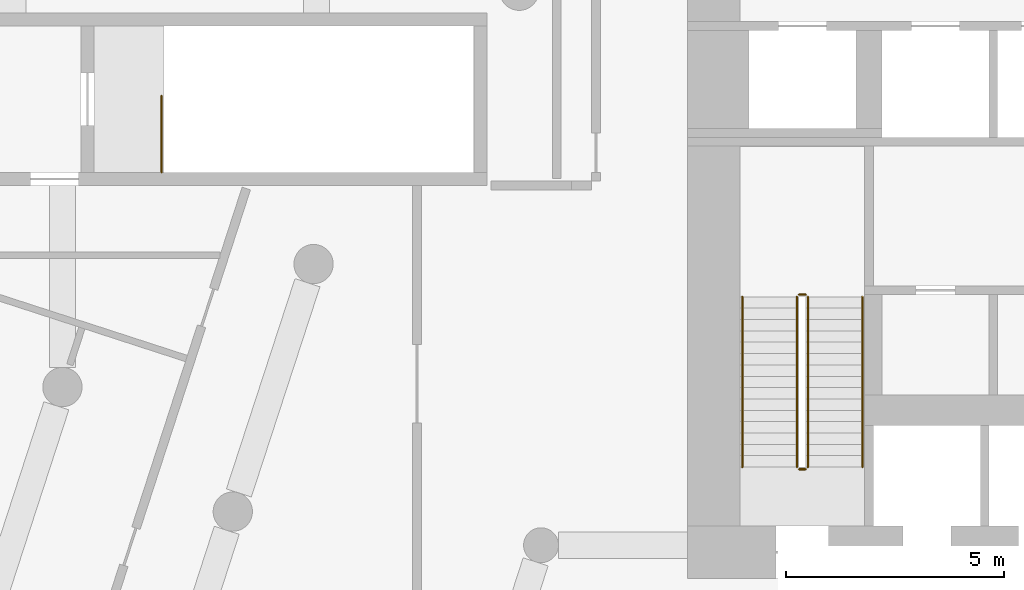
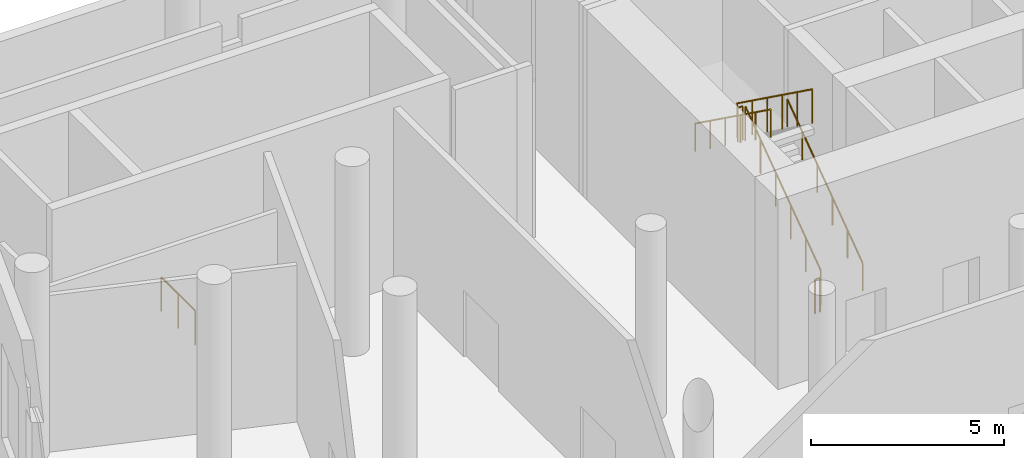
# One storey, part 18 of 19: 7 railings.
"""IFC4 building model written with IfcOpenShell, lengths in metres."""

from ifc_helpers import new_model, si_unit, direction, frame, origin, origin_2d, place, context, subcontext, project, spatial, circle, extrude, material, type_object, element, save


model = new_model("IFC4")

# Units and contexts
model_context = context("Model", 3, precision=1e-05, world=origin(), true_north=direction((0.0, 1.0)))
body_context = subcontext(model_context, "Body", "Model", "MODEL_VIEW")
ifc_project = project(units=[si_unit("LENGTHUNIT", "METRE"), si_unit("AREAUNIT", "SQUARE_METRE"), si_unit("VOLUMEUNIT", "CUBIC_METRE"), si_unit("PLANEANGLEUNIT", "RADIAN"), si_unit("MASSUNIT", "GRAM", prefix="KILO")], contexts=[model_context])

# Site, building, storey
site_placement = place(None, origin())
site = spatial("IfcSite", under=ifc_project, at=site_placement, CompositionType="ELEMENT")
building_placement = place(site_placement, origin())
building = spatial("IfcBuilding", under=site, at=building_placement, Name="White Candle Pilgrim Tower", CompositionType="ELEMENT")
storey_placement = place(building_placement, frame((0.0, 0.0, 23.0)))
storey = spatial("IfcBuildingStorey", under=building, at=storey_placement, Name="L03", CompositionType="ELEMENT", Elevation=23.0)

# Railings
ifc_material = material(Name="Stainless steel", Category="steel")
railing_type_1 = type_object("IfcRailingType", Name="Stair guard stainless steel 1100 mm", PredefinedType="GUARDRAIL", material=ifc_material)
railing_1_placement = place(storey_placement, frame((61.75, 73.550048828125, 0.1875)))
element("IfcRailing", 1, at=railing_1_placement, inside=storey, type_object=railing_type_1, Name="L03 ST1 stair guard 1", PredefinedType="GUARDRAIL", context=body_context, shape_type="SweptSolid", body=[
    extrude(circle(Radius=0.02392578125, at=origin_2d()), frame((0.0, 0.0, 1.076171875), z_axis=(0.0, 0.811083382981, 0.584930547887), x_axis=(-1.0, 0.0, 0.0)), (0.0, 0.0, 1.0), 4.808349609375),
    extrude(circle(Radius=0.02099609375, at=origin_2d()), origin(), (0.0, 0.0, 1.0), 1.052001953125),
    extrude(circle(Radius=0.02099609375, at=origin_2d()), frame((0.0, 0.780029296875, 0.5625)), (0.0, 0.0, 1.0), 1.052001953125),
    extrude(circle(Radius=0.02099609375, at=origin_2d()), frame((0.0, 1.56005859375, 1.125)), (0.0, 0.0, 1.0), 1.052001953125),
    extrude(circle(Radius=0.02099609375, at=origin_2d()), frame((0.0, 2.33984375, 1.6875)), (0.0, 0.0, 1.0), 1.052001953125),
    extrude(circle(Radius=0.02099609375, at=origin_2d()), frame((0.0, 3.119873046875, 2.25)), (0.0, 0.0, 1.0), 1.052001953125),
    extrude(circle(Radius=0.02099609375, at=origin_2d()), frame((0.0, 3.89990234375, 2.8125)), (0.0, 0.0, 1.0), 1.052001953125),
])
railing_2_placement = place(storey_placement, frame((61.699951171875, 77.5, 3.0)))
element("IfcRailing", 2, at=railing_2_placement, inside=storey, type_object=railing_type_1, Name="L03 ST1 stair guard 2", PredefinedType="GUARDRAIL", context=body_context, shape_type="SweptSolid", body=[
    extrude(circle(Radius=0.02392578125, at=origin_2d()), frame((0.0, 0.0, 1.076171875), z_axis=(-1.0, 0.0, 0.0), x_axis=(0.0, -1.0, 0.0)), (0.0, 0.0, 1.0), 0.14990234375),
    extrude(circle(Radius=0.02099609375, at=origin_2d()), origin(), (0.0, 0.0, 1.0), 1.052001953125),
    extrude(circle(Radius=0.02099609375, at=origin_2d()), frame((-0.14990234375, 0.0, 0.0)), (0.0, 0.0, 1.0), 1.052001953125),
])
railing_3_placement = place(storey_placement, frame((61.5, 77.449951171875, 3.1875)))
element("IfcRailing", 3, at=railing_3_placement, inside=storey, type_object=railing_type_1, Name="L03 ST1 stair guard 3", PredefinedType="GUARDRAIL", context=body_context, shape_type="SweptSolid", body=[
    extrude(circle(Radius=0.02392578125, at=origin_2d()), frame((0.0, 0.0, 1.076171875), z_axis=(0.0, -0.811083382981, 0.584930547887), x_axis=(1.0, 0.0, 0.0)), (0.0, 0.0, 1.0), 4.808349609375),
    extrude(circle(Radius=0.02099609375, at=origin_2d()), origin(), (0.0, 0.0, 1.0), 1.052001953125),
    extrude(circle(Radius=0.02099609375, at=origin_2d()), frame((0.0, -0.780029296875, 0.5625)), (0.0, 0.0, 1.0), 1.052001953125),
    extrude(circle(Radius=0.02099609375, at=origin_2d()), frame((0.0, -1.56005859375, 1.125)), (0.0, 0.0, 1.0), 1.052001953125),
    extrude(circle(Radius=0.02099609375, at=origin_2d()), frame((0.0, -2.33984375, 1.6875)), (0.0, 0.0, 1.0), 1.052001953125),
    extrude(circle(Radius=0.02099609375, at=origin_2d()), frame((0.0, -3.119873046875, 2.25)), (0.0, 0.0, 1.0), 1.052001953125),
    extrude(circle(Radius=0.02099609375, at=origin_2d()), frame((0.0, -3.89990234375, 2.8125)), (0.0, 0.0, 1.0), 1.052001953125),
])
railing_4_placement = place(storey_placement, frame((61.699951171875, 73.5, 0.0)))
element("IfcRailing", 4, at=railing_4_placement, inside=storey, type_object=railing_type_1, Name="L03 ST1 stair guard 4", PredefinedType="GUARDRAIL", context=body_context, shape_type="SweptSolid", body=[
    extrude(circle(Radius=0.02392578125, at=origin_2d()), frame((0.0, 0.0, 1.076171875), z_axis=(-1.0, 0.0, 0.0), x_axis=(0.0, -1.0, 0.0)), (0.0, 0.0, 1.0), 0.14990234375),
    extrude(circle(Radius=0.02099609375, at=origin_2d()), origin(), (0.0, 0.0, 1.0), 1.052001953125),
    extrude(circle(Radius=0.02099609375, at=origin_2d()), frame((-0.14990234375, 0.0, 0.0)), (0.0, 0.0, 1.0), 1.052001953125),
])
railing_5_placement = place(storey_placement, frame((46.949951171875, 80.300048828125, 0.0)))
element("IfcRailing", 5, at=railing_5_placement, inside=storey, type_object=railing_type_1, Name="L03 ST10 top well guard 1", PredefinedType="GUARDRAIL", context=body_context, shape_type="SweptSolid", body=[
    extrude(circle(Radius=0.02392578125, at=origin_2d()), frame((0.0, 0.0, 1.076171875), z_axis=(0.0, 1.0, 0.0), x_axis=(-1.0, 0.0, 0.0)), (0.0, 0.0, 1.0), 1.75),
    extrude(circle(Radius=0.02099609375, at=origin_2d()), origin(), (0.0, 0.0, 1.0), 1.052001953125),
    extrude(circle(Radius=0.02099609375, at=origin_2d()), frame((0.0, 0.875, 0.0)), (0.0, 0.0, 1.0), 1.052001953125),
    extrude(circle(Radius=0.02099609375, at=origin_2d()), frame((0.0, 1.75, 0.0)), (0.0, 0.0, 1.0), 1.052001953125),
])
railing_type_2 = type_object("IfcRailingType", Name="Stair handrail stainless steel", PredefinedType="HANDRAIL", material=ifc_material)
railing_6_placement = place(storey_placement, frame((63.0, 73.550048828125, 0.1875)))
element("IfcRailing", 6, at=railing_6_placement, inside=storey, type_object=railing_type_2, Name="L03 ST1 stair handrail 1", PredefinedType="HANDRAIL", context=body_context, shape_type="SweptSolid", body=[
    extrude(circle(Radius=0.02392578125, at=origin_2d()), frame((0.0, 0.0, 0.8759765625), z_axis=(0.0, 0.811083382981, 0.584930547887), x_axis=(-1.0, 0.0, 0.0)), (0.0, 0.0, 1.0), 4.808349609375),
    extrude(circle(Radius=0.02099609375, at=origin_2d()), origin(), (0.0, 0.0, 1.0), 0.851806640625),
    extrude(circle(Radius=0.02099609375, at=origin_2d()), frame((0.0, 0.780029296875, 0.5625)), (0.0, 0.0, 1.0), 0.851806640625),
    extrude(circle(Radius=0.02099609375, at=origin_2d()), frame((0.0, 1.56005859375, 1.125)), (0.0, 0.0, 1.0), 0.851806640625),
    extrude(circle(Radius=0.02099609375, at=origin_2d()), frame((0.0, 2.33984375, 1.6875)), (0.0, 0.0, 1.0), 0.851806640625),
    extrude(circle(Radius=0.02099609375, at=origin_2d()), frame((0.0, 3.119873046875, 2.25)), (0.0, 0.0, 1.0), 0.851806640625),
    extrude(circle(Radius=0.02099609375, at=origin_2d()), frame((0.0, 3.89990234375, 2.8125)), (0.0, 0.0, 1.0), 0.851806640625),
])
railing_7_placement = place(storey_placement, frame((60.25, 77.449951171875, 3.1875)))
element("IfcRailing", 7, at=railing_7_placement, inside=storey, type_object=railing_type_2, Name="L03 ST1 stair handrail 2", PredefinedType="HANDRAIL", context=body_context, shape_type="SweptSolid", body=[
    extrude(circle(Radius=0.02392578125, at=origin_2d()), frame((0.0, 0.0, 0.8759765625), z_axis=(0.0, -0.811083382981, 0.584930547887), x_axis=(1.0, 0.0, 0.0)), (0.0, 0.0, 1.0), 4.808349609375),
    extrude(circle(Radius=0.02099609375, at=origin_2d()), origin(), (0.0, 0.0, 1.0), 0.851806640625),
    extrude(circle(Radius=0.02099609375, at=origin_2d()), frame((0.0, -0.780029296875, 0.5625)), (0.0, 0.0, 1.0), 0.851806640625),
    extrude(circle(Radius=0.02099609375, at=origin_2d()), frame((0.0, -1.56005859375, 1.125)), (0.0, 0.0, 1.0), 0.851806640625),
    extrude(circle(Radius=0.02099609375, at=origin_2d()), frame((0.0, -2.33984375, 1.6875)), (0.0, 0.0, 1.0), 0.851806640625),
    extrude(circle(Radius=0.02099609375, at=origin_2d()), frame((0.0, -3.119873046875, 2.25)), (0.0, 0.0, 1.0), 0.851806640625),
    extrude(circle(Radius=0.02099609375, at=origin_2d()), frame((0.0, -3.89990234375, 2.8125)), (0.0, 0.0, 1.0), 0.851806640625),
])

save(model, "model.ifc")
